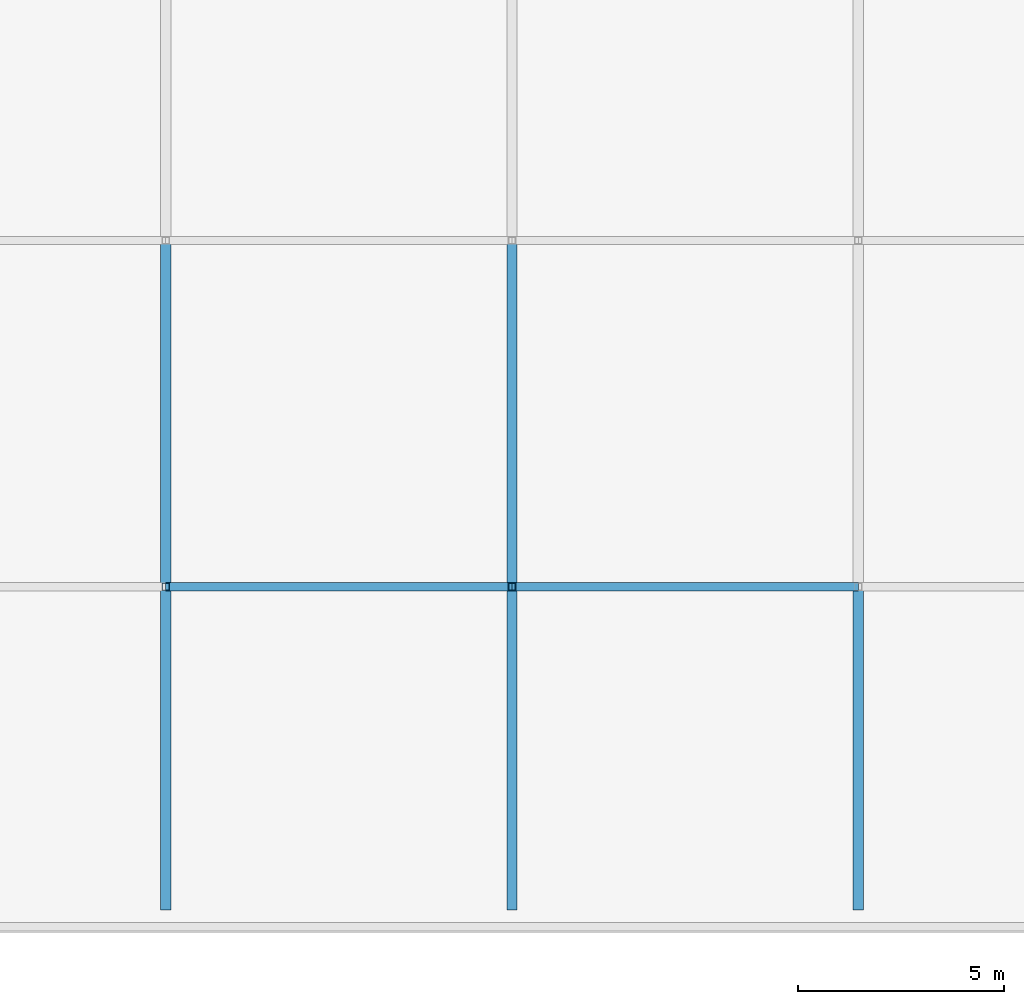
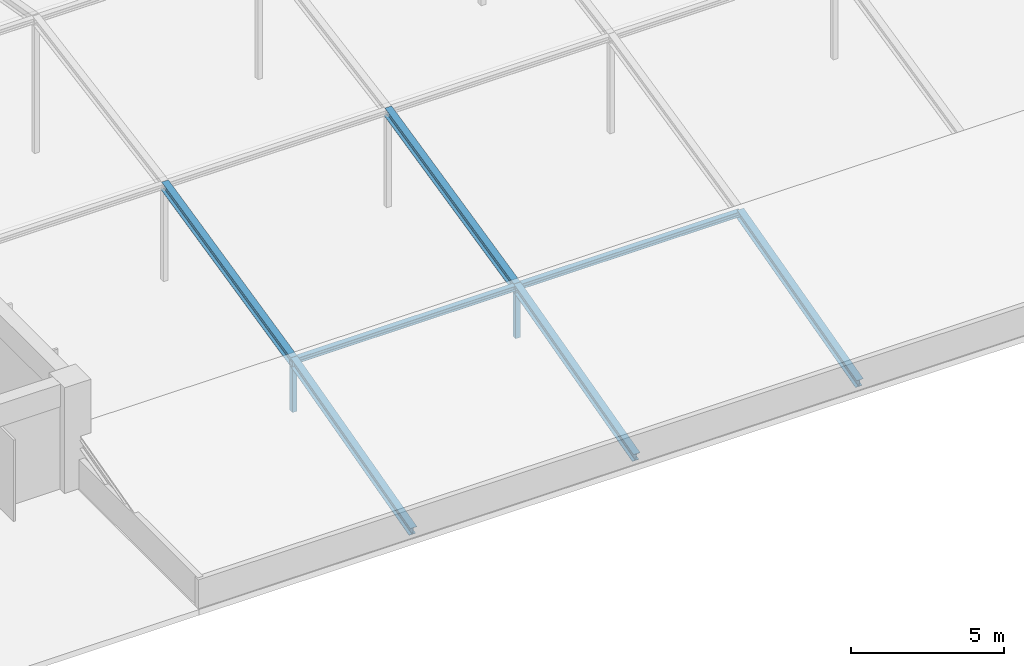
# One storey, part 8 of 34: 9 members.
"""IFC4 building model written with IfcOpenShell, lengths in metres."""

from ifc_helpers import new_model, si_unit, direction, frame, origin, origin_2d, place, context, subcontext, project, spatial, hollow_rectangle, i_section, extrude, material, material_profile, profile_set, type_object, element, save


model = new_model("IFC4")

# Units and contexts
model_context = context("Model", 3, precision=1e-05, world=origin(), true_north=direction((0.0, 1.0)))
body_context = subcontext(model_context, "Body", "Model", "MODEL_VIEW")
ifc_project = project(units=[si_unit("LENGTHUNIT", "METRE"), si_unit("AREAUNIT", "SQUARE_METRE"), si_unit("VOLUMEUNIT", "CUBIC_METRE"), si_unit("PLANEANGLEUNIT", "RADIAN"), si_unit("MASSUNIT", "GRAM", prefix="KILO")], contexts=[model_context])

# Site, building, storey
site_placement = place(None, origin())
site = spatial("IfcSite", under=ifc_project, at=site_placement, CompositionType="ELEMENT")
building_placement = place(site_placement, origin())
building = spatial("IfcBuilding", under=site, at=building_placement, Name="Xuanlan Plaza Opera House", CompositionType="ELEMENT")
storey_placement = place(building_placement, frame((0.0, 0.0, 27.89990234375)))
storey = spatial("IfcBuildingStorey", under=building, at=storey_placement, Name="L06", CompositionType="ELEMENT", Elevation=27.89990234375)

# Members
ifc_material = material(Name="Steel Q355B", Category="steel")
ifc_material_profile_1 = material_profile(ifc_material, hollow_rectangle(XDim=0.179931640625, YDim=0.179931640625, WallThickness=0.010009765625, at=origin_2d()), Name="SHS 180x180x10")
ifc_profile_set_1 = profile_set([ifc_material_profile_1], Name="Steel Q355B")
member_type_1 = type_object("IfcMemberType", Name="STR-MEM-ST-M2", PredefinedType="STRUT", material=ifc_profile_set_1)
for number, where, z_axis, x_axis, name in (
    (1, (75.60009765625, 42.0, -0.119873046875), (0.0, 0.0, 1.0), (1.0, 0.0, 0.0), "Auditorium Vault Arch Post 02-1"),
    (2, (84.0, 42.0, -0.119873046875), (0.0, 0.0, 1.0), (1.0, 0.0, 0.0), "Auditorium Vault Arch Post 03-1"),
):
    element("IfcMember", number, at=place(storey_placement, frame(where, z_axis=z_axis, x_axis=x_axis)), inside=storey, type_object=member_type_1, Name=name, PredefinedType="STRUT", context=body_context, shape_type="SweptSolid", body=[
        extrude(hollow_rectangle(XDim=0.179931640625, YDim=0.179931640625, WallThickness=0.010009765625, at=origin_2d()), origin(), (0.0, 0.0, 1.0), 2.0),
    ])
ifc_material_profile_2 = material_profile(ifc_material, i_section(OverallWidth=0.25, OverallDepth=0.340087890625, WebThickness=0.009033203125, FlangeThickness=0.013916015625, FilletRadius=0.01611328125, at=origin_2d()), Name="HM 340x250x9x14")
ifc_profile_set_2 = profile_set([ifc_material_profile_2], Name="Steel Q355B")
member_type_2 = type_object("IfcMemberType", Name="STR-MEM-TC-01", PredefinedType="CHORD", material=ifc_profile_set_2)
member_1_placement = place(storey_placement, frame((75.60009765625, 34.199951171875, -0.179931640625), z_axis=(0.0, 0.966847972596, 0.255352693128), x_axis=(-1.0, 0.0, 0.0)))
element("IfcMember", 3, at=member_1_placement, inside=storey, type_object=member_type_2, Name="Auditorium Parabolic Vault Arch Chord 02-1", PredefinedType="CHORD", context=body_context, shape_type="SweptSolid", body=[
    extrude(i_section(OverallWidth=0.25, OverallDepth=0.340087890625, WebThickness=0.009033203125, FlangeThickness=0.013916015625, FilletRadius=0.01611328125, at=origin_2d()), origin(), (0.0, 0.0, 1.0), 8.0673828125),
])
member_2_placement = place(storey_placement, frame((75.60009765625, 42.0, 1.880126953125), z_axis=(0.0, 0.975362349764, 0.220608899781), x_axis=(-1.0, 0.0, 0.0)))
element("IfcMember", 4, at=member_2_placement, inside=storey, type_object=member_type_2, Name="Auditorium Parabolic Vault Arch Chord 02-2", PredefinedType="CHORD", context=body_context, shape_type="SweptSolid", body=[
    extrude(i_section(OverallWidth=0.25, OverallDepth=0.340087890625, WebThickness=0.009033203125, FlangeThickness=0.013916015625, FilletRadius=0.01611328125, at=origin_2d()), origin(), (0.0, 0.0, 1.0), 8.612060546875),
])
member_3_placement = place(storey_placement, frame((84.0, 34.199951171875, -0.179931640625), z_axis=(0.0, 0.966847972596, 0.255352693128), x_axis=(-1.0, 0.0, 0.0)))
element("IfcMember", 5, at=member_3_placement, inside=storey, type_object=member_type_2, Name="Auditorium Parabolic Vault Arch Chord 03-1", PredefinedType="CHORD", context=body_context, shape_type="SweptSolid", body=[
    extrude(i_section(OverallWidth=0.25, OverallDepth=0.340087890625, WebThickness=0.009033203125, FlangeThickness=0.013916015625, FilletRadius=0.01611328125, at=origin_2d()), origin(), (0.0, 0.0, 1.0), 8.0673828125),
])
member_4_placement = place(storey_placement, frame((84.0, 42.0, 1.880126953125), z_axis=(0.0, 0.975362349764, 0.220608899781), x_axis=(-1.0, 0.0, 0.0)))
element("IfcMember", 6, at=member_4_placement, inside=storey, type_object=member_type_2, Name="Auditorium Parabolic Vault Arch Chord 03-2", PredefinedType="CHORD", context=body_context, shape_type="SweptSolid", body=[
    extrude(i_section(OverallWidth=0.25, OverallDepth=0.340087890625, WebThickness=0.009033203125, FlangeThickness=0.013916015625, FilletRadius=0.01611328125, at=origin_2d()), origin(), (0.0, 0.0, 1.0), 8.612060546875),
])
member_5_placement = place(storey_placement, frame((92.39990234375, 34.199951171875, -0.179931640625), z_axis=(0.0, 0.966847972596, 0.255352693128), x_axis=(-1.0, 0.0, 0.0)))
element("IfcMember", 7, at=member_5_placement, inside=storey, type_object=member_type_2, Name="Auditorium Parabolic Vault Arch Chord 04-1", PredefinedType="CHORD", context=body_context, shape_type="SweptSolid", body=[
    extrude(i_section(OverallWidth=0.25, OverallDepth=0.340087890625, WebThickness=0.009033203125, FlangeThickness=0.013916015625, FilletRadius=0.01611328125, at=origin_2d()), origin(), (0.0, 0.0, 1.0), 8.0673828125),
])
ifc_material_profile_3 = material_profile(ifc_material, i_section(OverallWidth=0.199951171875, OverallDepth=0.199951171875, WebThickness=0.008056640625, FlangeThickness=0.011962890625, FilletRadius=0.012939453125, at=origin_2d()), Name="HW 200x200x8x12")
ifc_profile_set_3 = profile_set([ifc_material_profile_3], Name="Steel Q355B")
member_type_3 = type_object("IfcMemberType", Name="STR-MEM-TC-02", PredefinedType="CHORD", material=ifc_profile_set_3)
for number, where, z_axis, x_axis, name in (
    (8, (75.60009765625, 42.0, 1.880126953125), (1.0, 0.0, 0.0), (0.0, 1.0, 0.0), "Auditorium Vault Longitudinal Chord 02-1"),
    (9, (84.0, 42.0, 1.880126953125), (1.0, 0.0, 0.0), (0.0, 1.0, 0.0), "Auditorium Vault Longitudinal Chord 03-1"),
):
    element("IfcMember", number, at=place(storey_placement, frame(where, z_axis=z_axis, x_axis=x_axis)), inside=storey, type_object=member_type_3, Name=name, PredefinedType="CHORD", context=body_context, shape_type="SweptSolid", body=[
        extrude(i_section(OverallWidth=0.199951171875, OverallDepth=0.199951171875, WebThickness=0.008056640625, FlangeThickness=0.011962890625, FilletRadius=0.012939453125, at=origin_2d()), origin(), (0.0, 0.0, 1.0), 8.39990234375),
    ])

save(model, "model.ifc")
